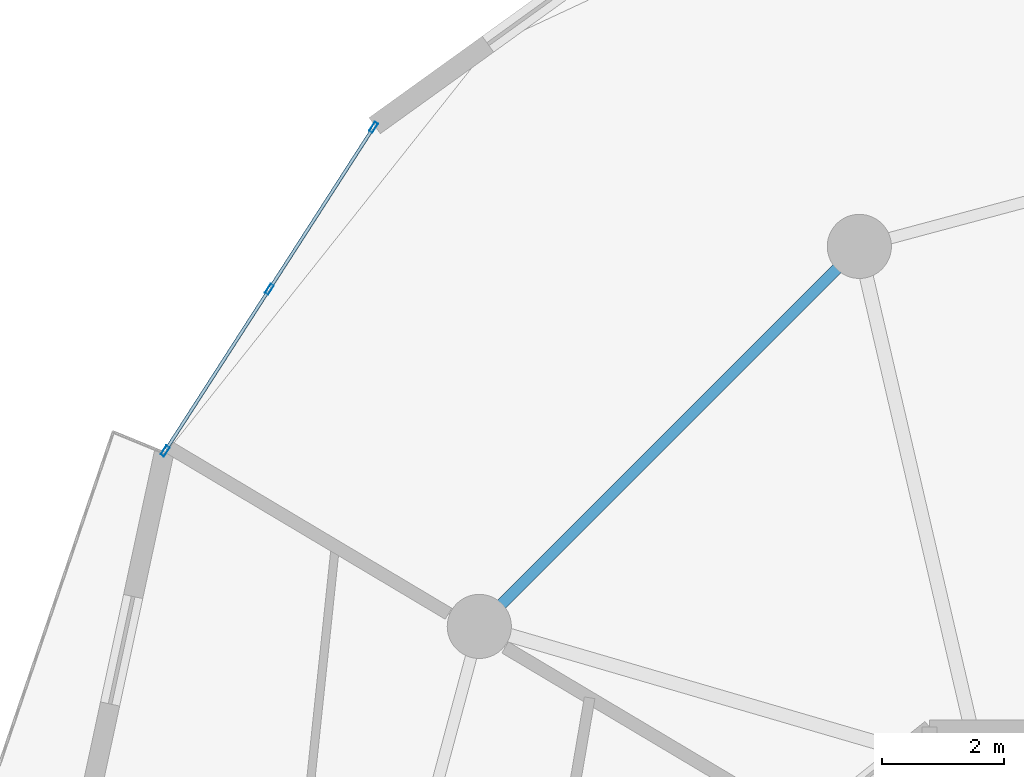
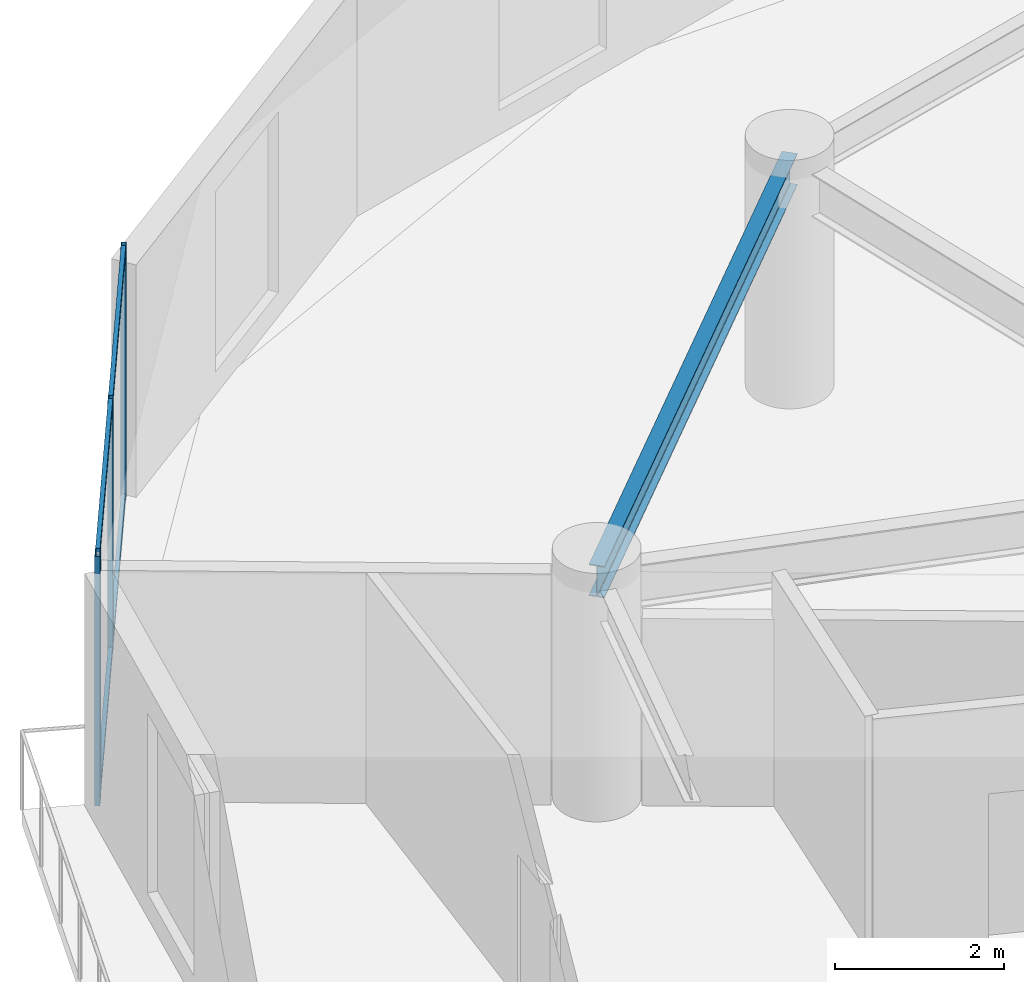
# One storey, part 12 of 21: 7 members, 1 beam, 1 element without a shape of its own.
"""IFC4 building model written with IfcOpenShell, lengths in metres."""

from ifc_helpers import new_model, si_unit, direction, frame, origin, origin_2d, place, context, subcontext, project, spatial, hollow_rectangle, i_section, extrude, source, transform, mapped, material, layer, layer_set, material_profile, profile_set, type_object, element, aggregate, save


model = new_model("IFC4")

# Units and contexts
model_context = context("Model", 3, precision=1e-05, world=origin(), true_north=direction((0.0, 1.0)))
body_context = subcontext(model_context, "Body", "Model", "MODEL_VIEW")
ifc_project = project(units=[si_unit("LENGTHUNIT", "METRE"), si_unit("AREAUNIT", "SQUARE_METRE"), si_unit("VOLUMEUNIT", "CUBIC_METRE"), si_unit("PLANEANGLEUNIT", "RADIAN"), si_unit("MASSUNIT", "GRAM", prefix="KILO")], contexts=[model_context])

# Site, building, storey
site_placement = place(None, origin())
site = spatial("IfcSite", under=ifc_project, at=site_placement, CompositionType="ELEMENT")
building_placement = place(site_placement, origin())
building = spatial("IfcBuilding", under=site, at=building_placement, Name="Solvirekh Grand Hotel", CompositionType="ELEMENT")
storey_placement = place(building_placement, frame((0.0, 0.0, 142.199951171875)))
storey = spatial("IfcBuildingStorey", under=building, at=storey_placement, Name="L36", CompositionType="ELEMENT", Elevation=142.199951171875)

# Beam
ifc_material_1 = material(Name="Steel S355", Category="steel")
ifc_material_profile_1 = material_profile(ifc_material_1, i_section(OverallWidth=0.18994140625, OverallDepth=0.45703125, WebThickness=0.009033203125, FlangeThickness=0.013916015625, FilletRadius=0.012939453125, at=origin_2d()), Name="W460X74")
ifc_profile_set_1 = profile_set([ifc_material_profile_1], Name="Steel S355")
beam_type = type_object("IfcBeamType", Name="Spandrel_Ring_W460", PredefinedType="SPANDREL", material=ifc_profile_set_1)
beam_placement = place(storey_placement, frame((-8.5, 14.721923828125, 3.1220703125), z_axis=(-0.707106781187, -0.707106781187, 0.0), x_axis=(0.707106781187, -0.707106781187, 0.0)))
element("IfcBeam", 1, at=beam_placement, inside=storey, type_object=beam_type, Name="L36 perimeter spandrel beam 5", PredefinedType="SPANDREL", context=body_context, shape_type="SweptSolid", body=[
    extrude(i_section(OverallWidth=0.18994140625, OverallDepth=0.45703125, WebThickness=0.009033203125, FlangeThickness=0.013916015625, FilletRadius=0.012939453125, at=origin_2d()), origin(), (0.0, 0.0, 1.0), 8.799072265625),
])

# Curtain wall, members
ifc_material_2 = material(Name="Anodized Bronze Aluminium 6063-T6", Category="aluminium")
ifc_layer = layer(ifc_material_2, 0.175048828125)
ifc_layer_set = layer_set([ifc_layer], Name="Anodized Bronze Aluminium 6063-T6")
curtain_wall_type = type_object("IfcCurtainWallType", Name="CW_Sys3_MidZoneFlushBronzeCW", PredefinedType="NOTDEFINED", material=ifc_layer_set)
curtain_wall_placement = place(storey_placement, origin())
curtain_wall = element("IfcCurtainWall", 2, at=curtain_wall_placement, inside=storey, type_object=curtain_wall_type, Name="L36 unitised bronze-glass curtain wall CW-L36-C11", PredefinedType="NOTDEFINED")
ifc_material_profile_2 = material_profile(ifc_material_2, hollow_rectangle(XDim=0.054931640625, YDim=0.1201171875, WallThickness=0.00390625, at=origin_2d()), Name="ALU RHS 120X55X4")
ifc_profile_set_2 = profile_set([ifc_material_profile_2], Name="Anodized Bronze Aluminium 6063-T6")
member_type_1 = type_object("IfcMemberType", Name="CWTransom_Sys3", PredefinedType="USERDEFINED", material=ifc_profile_set_2)
shared_shape_1 = source(origin(), body_context, "Body", "SweptSolid", [
    extrude(hollow_rectangle(XDim=0.054931640625, YDim=0.1201171875, WallThickness=0.00390625, at=origin_2d()), origin(), (0.0, 0.0, 1.0), 3.087158203125),
])
member_1_placement = place(storey_placement, frame((-18.176513671875, 13.994140625, 0.027587890625), z_axis=(-0.541416943874, -0.84075424048, 0.0), x_axis=(0.84075424048, -0.541416943874, 0.0)))
member_1 = element("IfcMember", 3, at=member_1_placement, type_object=member_type_1, Name="U03 transom 2.1", ObjectType="TRANSOM", PredefinedType="USERDEFINED", context=body_context, shape_type="MappedRepresentation", body=[
    mapped(shared_shape_1, transform((0.0, 0.0, 0.0), x_axis=(1.0, 0.0, 0.0), y_axis=(0.0, 1.0, 0.0), z_axis=(0.0, 0.0, 1.0), scale=1.0)),
])
member_2_placement = place(storey_placement, frame((-18.176513671875, 13.994140625, 3.572509765625), z_axis=(-0.541416943874, -0.84075424048, 0.0), x_axis=(0.84075424048, -0.541416943874, 0.0)))
member_2 = element("IfcMember", 4, at=member_2_placement, type_object=member_type_1, Name="U03 transom 2.2", ObjectType="TRANSOM", PredefinedType="USERDEFINED", context=body_context, shape_type="MappedRepresentation", body=[
    mapped(shared_shape_1, transform((0.0, 0.0, 0.0), x_axis=(1.0, 0.0, 0.0), y_axis=(0.0, 1.0, 0.0), z_axis=(0.0, 0.0, 1.0), scale=1.0)),
])
ifc_material_profile_3 = material_profile(ifc_material_2, hollow_rectangle(XDim=0.06494140625, YDim=0.175048828125, WallThickness=0.0048828125, at=origin_2d()), Name="ALU RHS 175X65X5")
ifc_profile_set_3 = profile_set([ifc_material_profile_3], Name="Anodized Bronze Aluminium 6063-T6")
member_type_2 = type_object("IfcMemberType", Name="CWMullion_Sys3", PredefinedType="MULLION", material=ifc_profile_set_3)
shared_shape_2 = source(origin(), body_context, "Body", "SweptSolid", [
    extrude(hollow_rectangle(XDim=0.06494140625, YDim=0.175048828125, WallThickness=0.0048828125, at=origin_2d()), origin(), (0.0, 0.0, 1.0), 3.60009765625),
])
member_3_placement = place(storey_placement, frame((-16.45263671875, 16.671630859375, 0.0), z_axis=(0.0, 0.0, 1.0), x_axis=(0.840785446483, -0.541368481703, 0.0)))
member_3 = element("IfcMember", 5, at=member_3_placement, type_object=member_type_2, Name="U03 mullion 1", PredefinedType="MULLION", context=body_context, shape_type="MappedRepresentation", body=[
    mapped(shared_shape_2, transform((0.0, 0.0, 0.0), x_axis=(1.0, 0.0, 0.0), y_axis=(0.0, 1.0, 0.0), z_axis=(0.0, 0.0, 1.0), scale=1.0)),
])
member_4_placement = place(storey_placement, frame((-18.158935546875, 14.021484375, 0.0), z_axis=(0.0, 0.0, 1.0), x_axis=(0.840785446483, -0.541368481703, 0.0)))
member_4 = element("IfcMember", 6, at=member_4_placement, type_object=member_type_2, Name="U03 mullion 2", PredefinedType="MULLION", context=body_context, shape_type="MappedRepresentation", body=[
    mapped(shared_shape_2, transform((0.0, 0.0, 0.0), x_axis=(1.0, 0.0, 0.0), y_axis=(0.0, 1.0, 0.0), z_axis=(0.0, 0.0, 1.0), scale=1.0)),
])
member_5_placement = place(storey_placement, frame((-19.865478515625, 11.371337890625, 0.0), z_axis=(0.0, 0.0, 1.0), x_axis=(0.840785446483, -0.541368481703, 0.0)))
member_5 = element("IfcMember", 7, at=member_5_placement, type_object=member_type_2, Name="U03 mullion 3", PredefinedType="MULLION", context=body_context, shape_type="MappedRepresentation", body=[
    mapped(shared_shape_2, transform((0.0, 0.0, 0.0), x_axis=(1.0, 0.0, 0.0), y_axis=(0.0, 1.0, 0.0), z_axis=(0.0, 0.0, 1.0), scale=1.0)),
])
shared_shape_3 = source(origin(), body_context, "Body", "SweptSolid", [
    extrude(hollow_rectangle(XDim=0.054931640625, YDim=0.1201171875, WallThickness=0.00390625, at=origin_2d()), origin(), (0.0, 0.0, 1.0), 3.0869140625),
])
member_6_placement = place(storey_placement, frame((-16.47021484375, 16.644287109375, 0.027587890625), z_axis=(-0.541361037546, -0.840790239612, 0.0), x_axis=(0.840790239612, -0.541361037546, 0.0)))
member_6 = element("IfcMember", 8, at=member_6_placement, type_object=member_type_1, Name="U03 transom 1.1", ObjectType="TRANSOM", PredefinedType="USERDEFINED", context=body_context, shape_type="MappedRepresentation", body=[
    mapped(shared_shape_3, transform((0.0, 0.0, 0.0), x_axis=(1.0, 0.0, 0.0), y_axis=(0.0, 1.0, 0.0), z_axis=(0.0, 0.0, 1.0), scale=1.0)),
])
member_7_placement = place(storey_placement, frame((-16.47021484375, 16.644287109375, 3.572509765625), z_axis=(-0.541361037546, -0.840790239612, 0.0), x_axis=(0.840790239612, -0.541361037546, 0.0)))
member_7 = element("IfcMember", 9, at=member_7_placement, type_object=member_type_1, Name="U03 transom 1.2", ObjectType="TRANSOM", PredefinedType="USERDEFINED", context=body_context, shape_type="MappedRepresentation", body=[
    mapped(shared_shape_3, transform((0.0, 0.0, 0.0), x_axis=(1.0, 0.0, 0.0), y_axis=(0.0, 1.0, 0.0), z_axis=(0.0, 0.0, 1.0), scale=1.0)),
])
aggregate(curtain_wall, [member_3, member_4, member_5, member_6, member_7, member_1, member_2])

save(model, "model.ifc")
